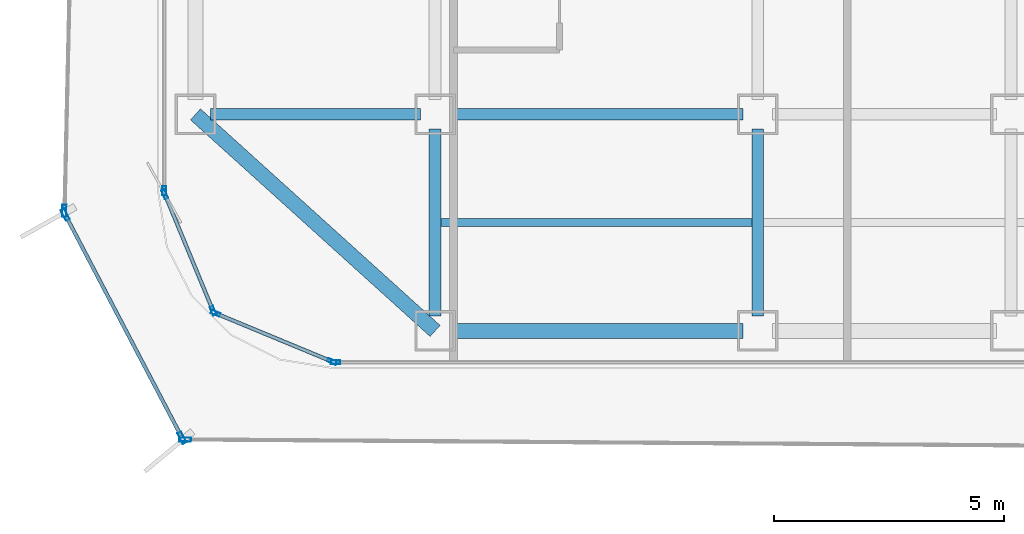
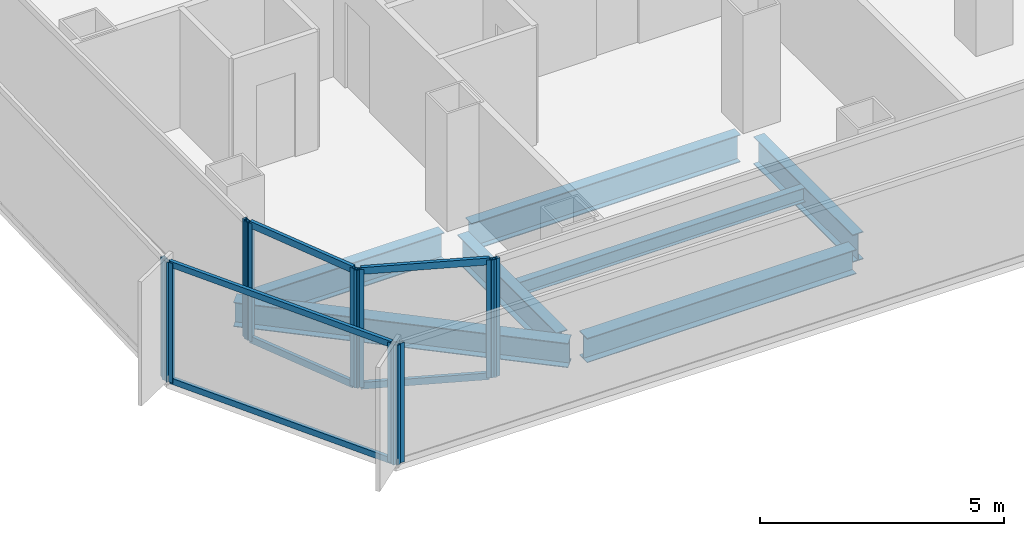
# One storey, part 2 of 21: 16 members, 7 beams, 7 elements without a shape of their own.
"""IFC4 building model written with IfcOpenShell, lengths in metres."""

import ifcopenshell
import ifcopenshell.guid

model = None  # the IFC model being written
_history = None  # IfcOwnerHistory: only IFC2X3 demands one
_inside = {}  # id of a spatial element -> (the spatial element, [elements in it])
_under = {}  # id of a project, library or spatial element -> (it, [spatial elements below it])
_declared = {}  # id of a project -> (the project, [libraries it declares])
_typed = {}  # id of a type object -> (the type object, [elements of that type])
_made_of = {}  # id of a material, layer set ... -> (it, [elements and type objects made of it])


def new_model(schema):
    """Start an empty IFC model of exactly this schema.

    Asked for "IFC4X3", IfcOpenShell would pick the latest addendum, in which some entities
    have other attributes; the version numbers below select the first issue.
    IFC2X3 requires an IfcOwnerHistory on every rooted entity: one is made here for all.
    """
    global model, _history
    if schema == "IFC4X3":
        model = ifcopenshell.file(schema_version=(4, 3, 0, 0))
    else:
        model = ifcopenshell.file(schema=schema)
    _inside.clear()
    _under.clear()
    _declared.clear()
    _typed.clear()
    _made_of.clear()
    _history = None
    if model.schema == "IFC2X3":
        org = make("IfcOrganization", Name="unknown")
        user = make(
            "IfcPersonAndOrganization",
            ThePerson=make("IfcPerson", FamilyName="unknown"),
            TheOrganization=org,
        )
        app = make(
            "IfcApplication",
            ApplicationDeveloper=org,
            Version="unknown",
            ApplicationFullName="unknown",
            ApplicationIdentifier="unknown",
        )
        _history = make(
            "IfcOwnerHistory",
            OwningUser=user,
            OwningApplication=app,
            ChangeAction="ADDED",
            CreationDate=0,
        )
    return model


def make(cls, **values):
    """One entity of the class cls with the attributes given. An attribute that is None is left unset."""
    return model.create_entity(
        cls, **{name: value for name, value in values.items() if value is not None}
    )


def rooted(cls, **values):
    """An entity with a GlobalId (a new one), such as an element, a storey or a relation."""
    return make(cls, GlobalId=ifcopenshell.guid.new(), OwnerHistory=_history, **values)


def si_unit(unit_type, name, prefix=None):
    """IfcSIUnit, for example si_unit("LENGTHUNIT", "METRE", prefix="MILLI")."""
    return make("IfcSIUnit", UnitType=unit_type, Prefix=prefix, Name=name)


def assignment(units):
    """IfcUnitAssignment: the units of a project."""
    return None if units is None else make("IfcUnitAssignment", Units=units)


def point(xyz):
    """IfcCartesianPoint."""
    return None if xyz is None else make("IfcCartesianPoint", Coordinates=xyz)


def direction(xyz):
    """IfcDirection."""
    return None if xyz is None else make("IfcDirection", DirectionRatios=xyz)


def frame(location, z_axis=None, x_axis=None):
    """IfcAxis2Placement3D, a coordinate frame: its origin and axes. An axis left out is left unset."""
    return make(
        "IfcAxis2Placement3D",
        Location=point(location),
        Axis=direction(z_axis),
        RefDirection=direction(x_axis),
    )


def frame_2d(location, x_axis=None):
    """IfcAxis2Placement2D, a coordinate frame in the plane: its origin and x axis."""
    return make(
        "IfcAxis2Placement2D", Location=point(location), RefDirection=direction(x_axis)
    )


def origin():
    """The frame at (0, 0, 0) with its axes left unset."""
    return frame((0.0, 0.0, 0.0))


def origin_2d():
    """The frame at (0, 0) in the plane with its x axis left unset."""
    return frame_2d((0.0, 0.0))


def place(relative_to, where):
    """IfcLocalPlacement: puts the frame where relative to a parent placement (None: the world)."""
    return make(
        "IfcLocalPlacement", PlacementRelTo=relative_to, RelativePlacement=where
    )


def context(
    kind, dimensions, precision=None, world=None, true_north=None, identifier=None
):
    """IfcGeometricRepresentationContext, for example the 3D "Model" context."""
    return make(
        "IfcGeometricRepresentationContext",
        ContextIdentifier=identifier,
        ContextType=kind,
        CoordinateSpaceDimension=dimensions,
        Precision=precision,
        WorldCoordinateSystem=world,
        TrueNorth=true_north,
    )


def subcontext(parent, identifier, kind, view, scale=None):
    """IfcGeometricRepresentationSubContext, for example "Body" below "Model"."""
    return make(
        "IfcGeometricRepresentationSubContext",
        ContextIdentifier=identifier,
        ContextType=kind,
        ParentContext=parent,
        TargetScale=scale,
        TargetView=view,
    )


def project(units=None, contexts=None):
    """IfcProject with its units and contexts."""
    return rooted(
        "IfcProject",
        Name="project",
        RepresentationContexts=contexts,
        UnitsInContext=assignment(units),
    )


def spatial(cls, under=None, at=None, **own):
    """A site, building, storey or space (cls), placed at a placement, below another one or the project."""
    s = rooted(cls, ObjectPlacement=at, **own)
    if under is not None:
        _under.setdefault(under.id(), (under, []))[1].append(s)
    return s


def profile(cls, at=None, kind="AREA", **sizes):
    """A parametric profile (cls). Its sizes go by their IFC names, for example OverallWidth=200.0."""
    return make(cls, ProfileType=kind, Position=at, **sizes)


def hollow_rectangle(**sizes):
    """IfcRectangleHollowProfileDef."""
    return profile("IfcRectangleHollowProfileDef", **sizes)


def i_section(**sizes):
    """IfcIShapeProfileDef."""
    return profile("IfcIShapeProfileDef", **sizes)


def extrude(swept, where, along, depth):
    """IfcExtrudedAreaSolid: the profile swept, set in the frame where, extruded along a direction by depth."""
    return make(
        "IfcExtrudedAreaSolid",
        SweptArea=swept,
        Position=where,
        ExtrudedDirection=direction(along),
        Depth=depth,
    )


def shape(context_of_items, identifier, shape_type, items):
    """IfcShapeRepresentation: the items that make up one representation, for example the "Body"."""
    return make(
        "IfcShapeRepresentation",
        ContextOfItems=context_of_items,
        RepresentationIdentifier=identifier,
        RepresentationType=shape_type,
        Items=items,
    )


def source(mapping_origin, context_of_items, identifier, shape_type, items):
    """IfcRepresentationMap: a shape defined once, which mapped items show again and again."""
    return make(
        "IfcRepresentationMap",
        MappingOrigin=mapping_origin,
        MappedRepresentation=shape(context_of_items, identifier, shape_type, items),
    )


def transform(
    local_origin,
    x_axis=None,
    y_axis=None,
    z_axis=None,
    scale=None,
    scale2=None,
    scale3=None,
    uniform=True,
):
    """IfcCartesianTransformationOperator3D, or its non-uniform kind. x_axis, y_axis, z_axis: its Axis1, 2, 3."""
    if uniform:
        return make(
            "IfcCartesianTransformationOperator3D",
            Axis1=direction(x_axis),
            Axis2=direction(y_axis),
            LocalOrigin=point(local_origin),
            Scale=scale,
            Axis3=direction(z_axis),
        )
    return make(
        "IfcCartesianTransformationOperator3DnonUniform",
        Axis1=direction(x_axis),
        Axis2=direction(y_axis),
        LocalOrigin=point(local_origin),
        Scale=scale,
        Axis3=direction(z_axis),
        Scale2=scale2,
        Scale3=scale3,
    )


def mapped(mapping_source, mapping_target):
    """IfcMappedItem: shows the shape of a source again, moved by a transform."""
    return make(
        "IfcMappedItem", MappingSource=mapping_source, MappingTarget=mapping_target
    )


def material(Name=None, Category=None):
    """IfcMaterial."""
    return make("IfcMaterial", Name=Name, Category=Category)


def layer(
    of_material, thickness, ventilated=None, Name=None, Category=None, Priority=None
):
    """IfcMaterialLayer: one layer of a wall or slab, of a material (None: an air gap)."""
    return make(
        "IfcMaterialLayer",
        Material=of_material,
        LayerThickness=thickness,
        IsVentilated=ventilated,
        Name=Name,
        Category=Category,
        Priority=Priority,
    )


def layer_set(layers, Name=None):
    """IfcMaterialLayerSet."""
    return make("IfcMaterialLayerSet", MaterialLayers=layers, LayerSetName=Name)


def material_profile(
    of_material, cross_section, Name=None, Category=None, Priority=None
):
    """IfcMaterialProfile: a cross section and its material."""
    return make(
        "IfcMaterialProfile",
        Name=Name,
        Material=of_material,
        Profile=cross_section,
        Priority=Priority,
        Category=Category,
    )


def profile_set(profiles, Name=None, composite=None):
    """IfcMaterialProfileSet."""
    return make(
        "IfcMaterialProfileSet",
        Name=Name,
        MaterialProfiles=profiles,
        CompositeProfile=composite,
    )


def made_of(thing, what):
    """Note that an element or type object is made of a material, layer set ...; save() writes the relation."""
    if what is not None:
        _made_of.setdefault(what.id(), (what, []))[1].append(thing)
    return thing


def type_object(cls, material=None, **own):
    """A type object (cls), such as IfcWallType, which elements share."""
    return made_of(rooted(cls, **own), material)


def element(
    cls,
    number,
    at=None,
    inside=None,
    cuts=None,
    type_object=None,
    material=None,
    context=None,
    identifier="Body",
    shape_type=None,
    held_by="IfcProductDefinitionShape",
    body=None,
    shapes=None,
    **own,
):
    """One element of the class cls, such as IfcWall. Its Tag is "e" and its number.

    at: its placement. inside: the storey or other place that contains it. cuts: it is an
    opening in that element (IfcRelVoidsElement). A single representation is given by context,
    identifier, shape_type and body (its items); several are given by shapes. held_by: the class
    of the entity that holds the representations. save() writes the other relations.
    """
    e = rooted(cls, Tag="e%d" % number, ObjectPlacement=at, **own)
    if body is not None:
        shapes = [shape(context, identifier, shape_type, body)]
    if shapes is not None:
        e.Representation = make(held_by, Representations=shapes)
    if inside is not None:
        _inside.setdefault(inside.id(), (inside, []))[1].append(e)
    if cuts is not None:
        rooted(
            "IfcRelVoidsElement", RelatingBuildingElement=cuts, RelatedOpeningElement=e
        )
    if type_object is not None:
        _typed.setdefault(type_object.id(), (type_object, []))[1].append(e)
    return made_of(e, material)


def aggregate(whole, parts):
    """IfcRelAggregates: a whole, such as a stair, and the parts it consists of."""
    return rooted("IfcRelAggregates", RelatingObject=whole, RelatedObjects=parts)


def save(model, path):
    """Write the relations noted so far, then the file.

    IfcRelAggregates (storeys below a building ...), IfcRelContainedInSpatialStructure (elements
    in a storey), IfcRelDefinesByType, IfcRelAssociatesMaterial and IfcRelDeclares: one each for
    every whole, place, type object, material and project.
    """
    for whole, parts in _under.values():
        aggregate(whole, parts)
    for where, things in _inside.values():
        rooted(
            "IfcRelContainedInSpatialStructure",
            RelatedElements=things,
            RelatingStructure=where,
        )
    for kind, things in _typed.values():
        rooted("IfcRelDefinesByType", RelatedObjects=things, RelatingType=kind)
    for what, things in _made_of.values():
        rooted("IfcRelAssociatesMaterial", RelatedObjects=things, RelatingMaterial=what)
    for by, libraries in _declared.values():
        rooted("IfcRelDeclares", RelatingContext=by, RelatedDefinitions=libraries)
    model.write(path)


model = new_model("IFC4")

# Units and contexts
model_context = context("Model", 3, precision=1e-05, world=origin(), true_north=direction((0.0, 1.0)))
body_context = subcontext(model_context, "Body", "Model", "MODEL_VIEW")
ifc_project = project(units=[si_unit("LENGTHUNIT", "METRE"), si_unit("AREAUNIT", "SQUARE_METRE"), si_unit("VOLUMEUNIT", "CUBIC_METRE"), si_unit("PLANEANGLEUNIT", "RADIAN"), si_unit("MASSUNIT", "GRAM", prefix="KILO")], contexts=[model_context])

# Site, building, storey
site_placement = place(None, origin())
site = spatial("IfcSite", under=ifc_project, at=site_placement, CompositionType="ELEMENT")
building_placement = place(site_placement, origin())
building = spatial("IfcBuilding", under=site, at=building_placement, Name="Kolveth Station Tower", CompositionType="ELEMENT")
storey_placement = place(building_placement, frame((0.0, 0.0, 105.5)))
storey = spatial("IfcBuildingStorey", under=building, at=storey_placement, Name="L28", CompositionType="ELEMENT", Elevation=105.5)

# Beams
ifc_material_1 = material(Name="Steel S355", Category="steel")
ifc_material_profile_1 = material_profile(ifc_material_1, i_section(OverallWidth=0.323974609375, OverallDepth=0.611083984375, WebThickness=0.0126953125, FlangeThickness=0.01904296875, at=origin_2d()), Name="W610x155")
ifc_profile_set_1 = profile_set([ifc_material_profile_1], Name="Steel S355")
beam_type_1 = type_object("IfcBeamType", Name="Beam_SP2", PredefinedType="SPANDREL", material=ifc_profile_set_1)
shared_shape_1 = source(origin(), body_context, "Body", "SweptSolid", [
    extrude(i_section(OverallWidth=0.323974609375, OverallDepth=0.611083984375, WebThickness=0.0126953125, FlangeThickness=0.01904296875, at=origin_2d()), origin(), (0.0, 0.0, 1.0), 6.35986328125),
])
beam_1_placement = place(storey_placement, frame((6.320068359375, 0.800048828125, -0.555419921875), z_axis=(1.0, 0.0, 0.0), x_axis=(0.0, 1.0, 0.0)))
element("IfcBeam", 1, at=beam_1_placement, inside=storey, type_object=beam_type_1, Name="L28 Perimeter Spandrel BM-L28-PS-1", PredefinedType="SPANDREL", context=body_context, shape_type="MappedRepresentation", body=[
    mapped(shared_shape_1, transform((0.0, 0.0, 0.0), x_axis=(1.0, 0.0, 0.0), y_axis=(0.0, 1.0, 0.0), z_axis=(0.0, 0.0, 1.0), scale=1.0)),
])
shared_shape_2 = source(origin(), body_context, "Body", "SweptSolid", [
    extrude(i_section(OverallWidth=0.323974609375, OverallDepth=0.611083984375, WebThickness=0.0126953125, FlangeThickness=0.01904296875, at=origin_2d()), origin(), (0.0, 0.0, 1.0), 7.00927734375),
])
beam_2_placement = place(storey_placement, frame((0.800048828125, 5.5, -0.555419921875), z_axis=(0.741874009795, -0.670539300557, 0.0), x_axis=(0.670539300557, 0.741874009795, 0.0)))
element("IfcBeam", 2, at=beam_2_placement, inside=storey, type_object=beam_type_1, Name="L28 Corner Edge Girder BM-L28-CNR-SW", PredefinedType="SPANDREL", context=body_context, shape_type="MappedRepresentation", body=[
    mapped(shared_shape_2, transform((0.0, 0.0, 0.0), x_axis=(1.0, 0.0, 0.0), y_axis=(0.0, 1.0, 0.0), z_axis=(0.0, 0.0, 1.0), scale=1.0)),
])
ifc_material_profile_2 = material_profile(ifc_material_1, i_section(OverallWidth=0.25390625, OverallDepth=0.68798828125, WebThickness=0.01318359375, FlangeThickness=0.02099609375, at=origin_2d()), Name="W690x152")
ifc_profile_set_2 = profile_set([ifc_material_profile_2], Name="Steel S355")
beam_type_2 = type_object("IfcBeamType", Name="Beam_B4", PredefinedType="BEAM", material=ifc_profile_set_2)
shared_shape_3 = source(origin(), body_context, "Body", "SweptSolid", [
    extrude(i_section(OverallWidth=0.25390625, OverallDepth=0.68798828125, WebThickness=0.01318359375, FlangeThickness=0.02099609375, at=origin_2d()), origin(), (0.0, 0.0, 1.0), 4.559814453125),
])
beam_3_placement = place(storey_placement, frame((1.1201171875, 5.5, -0.593994140625), z_axis=(1.0, 0.0, 0.0), x_axis=(0.0, 1.0, 0.0)))
element("IfcBeam", 3, at=beam_3_placement, inside=storey, type_object=beam_type_2, Name="L28 Primary Girder BM-L28-GY55-1", PredefinedType="BEAM", context=body_context, shape_type="MappedRepresentation", body=[
    mapped(shared_shape_3, transform((0.0, 0.0, 0.0), x_axis=(1.0, 0.0, 0.0), y_axis=(0.0, 1.0, 0.0), z_axis=(0.0, 0.0, 1.0), scale=1.0)),
])
shared_shape_4 = source(origin(), body_context, "Body", "SweptSolid", [
    extrude(i_section(OverallWidth=0.25390625, OverallDepth=0.68798828125, WebThickness=0.01318359375, FlangeThickness=0.02099609375, at=origin_2d()), origin(), (0.0, 0.0, 1.0), 6.35986328125),
])
beam_4_placement = place(storey_placement, frame((6.320068359375, 5.5, -0.593994140625), z_axis=(1.0, 0.0, 0.0), x_axis=(0.0, 1.0, 0.0)))
element("IfcBeam", 4, at=beam_4_placement, inside=storey, type_object=beam_type_2, Name="L28 Primary Girder BM-L28-GY55-2", PredefinedType="BEAM", context=body_context, shape_type="MappedRepresentation", body=[
    mapped(shared_shape_4, transform((0.0, 0.0, 0.0), x_axis=(1.0, 0.0, 0.0), y_axis=(0.0, 1.0, 0.0), z_axis=(0.0, 0.0, 1.0), scale=1.0)),
])
shared_shape_5 = source(origin(), body_context, "Body", "SweptSolid", [
    extrude(i_section(OverallWidth=0.25390625, OverallDepth=0.68798828125, WebThickness=0.01318359375, FlangeThickness=0.02099609375, at=origin_2d()), origin(), (0.0, 0.0, 1.0), 4.059814453125),
])
for number, where, z_axis, x_axis, name in (
    (5, (6.0, 1.1201171875, -0.593994140625), (0.0, 1.0, 0.0), (-1.0, 0.0, 0.0), "L28 Primary Girder BM-L28-GX60-1"),
    (6, (13.0, 1.1201171875, -0.593994140625), (0.0, 1.0, 0.0), (-1.0, 0.0, 0.0), "L28 Primary Girder BM-L28-GX130-1"),
):
    element("IfcBeam", number, at=place(storey_placement, frame(where, z_axis=z_axis, x_axis=x_axis)), inside=storey, type_object=beam_type_2, Name=name, PredefinedType="BEAM", context=body_context, shape_type="MappedRepresentation", body=[
        mapped(shared_shape_5, transform((0.0, 0.0, 0.0), x_axis=(1.0, 0.0, 0.0), y_axis=(0.0, 1.0, 0.0), z_axis=(0.0, 0.0, 1.0), scale=1.0)),
    ])
ifc_material_profile_3 = material_profile(ifc_material_1, i_section(OverallWidth=0.1708984375, OverallDepth=0.35205078125, WebThickness=0.0068359375, FlangeThickness=0.009765625, at=origin_2d()), Name="W360x44")
ifc_profile_set_3 = profile_set([ifc_material_profile_3], Name="Steel S355")
beam_type_3 = type_object("IfcBeamType", Name="Beam_J2", PredefinedType="JOIST", material=ifc_profile_set_3)
shared_shape_6 = source(origin(), body_context, "Body", "SweptSolid", [
    extrude(i_section(OverallWidth=0.1708984375, OverallDepth=0.35205078125, WebThickness=0.0068359375, FlangeThickness=0.009765625, at=origin_2d()), origin(), (0.0, 0.0, 1.0), 6.75),
])
beam_5_placement = place(storey_placement, frame((6.125, 3.14990234375, -0.426025390625), z_axis=(1.0, 0.0, 0.0), x_axis=(0.0, 1.0, 0.0)))
element("IfcBeam", 7, at=beam_5_placement, inside=storey, type_object=beam_type_3, Name="L28 Secondary Joist JST-L28-2-1", PredefinedType="JOIST", context=body_context, shape_type="MappedRepresentation", body=[
    mapped(shared_shape_6, transform((0.0, 0.0, 0.0), x_axis=(1.0, 0.0, 0.0), y_axis=(0.0, 1.0, 0.0), z_axis=(0.0, 0.0, 1.0), scale=1.0)),
])

# Curtain wall, member
ifc_material_2 = material(Name="Aluminium 6063-T6 and low-E dark glass", Category="aluminium")
ifc_layer_1 = layer(ifc_material_2, 0.18994140625)
ifc_layer_set_1 = layer_set([ifc_layer_1], Name="Aluminium 6063-T6 and low-E dark glass")
curtain_wall_type_1 = type_object("IfcCurtainWallType", Name="CurtainWall_CW-Z2", PredefinedType="NOTDEFINED", material=ifc_layer_set_1)
curtain_wall_1_placement = place(storey_placement, origin())
curtain_wall_1 = element("IfcCurtainWall", 8, at=curtain_wall_1_placement, inside=storey, type_object=curtain_wall_type_1, Name="L28 Inner Thermal Curtain Wall 9", PredefinedType="NOTDEFINED")
ifc_material_3 = material(Name="Black anodized aluminium 6063-T6", Category="aluminium")
ifc_material_profile_4 = material_profile(ifc_material_3, hollow_rectangle(XDim=0.080078125, YDim=0.199951171875, WallThickness=0.0048828125, at=origin_2d()), Name="ALU-80x200x5")
ifc_profile_set_4 = profile_set([ifc_material_profile_4], Name="Black anodized aluminium 6063-T6")
member_type_1 = type_object("IfcMemberType", Name="Mullion_ML2", PredefinedType="MULLION", material=ifc_profile_set_4)
shared_shape_7 = source(origin(), body_context, "Body", "SweptSolid", [
    extrude(hollow_rectangle(XDim=0.080078125, YDim=0.199951171875, WallThickness=0.0048828125, at=origin_2d()), origin(), (0.0, 0.0, 1.0), 2.949951171875),
])
member_1_placement = place(storey_placement, frame((0.1201171875, 3.840087890625, 0.0), z_axis=(0.0, 0.0, 1.0), x_axis=(1.0, 0.0, 0.0)))
member_1 = element("IfcMember", 9, at=member_1_placement, type_object=member_type_1, Name="CW-Z2 mullion 2", PredefinedType="MULLION", context=body_context, shape_type="MappedRepresentation", body=[
    mapped(shared_shape_7, transform((0.0, 0.0, 0.0), x_axis=(1.0, 0.0, 0.0), y_axis=(0.0, 1.0, 0.0), z_axis=(0.0, 0.0, 1.0), scale=1.0)),
])
aggregate(curtain_wall_1, [member_1])

# Curtain wall, members
curtain_wall_2_placement = place(storey_placement, origin())
curtain_wall_2 = element("IfcCurtainWall", 10, at=curtain_wall_2_placement, inside=storey, type_object=curtain_wall_type_1, Name="L28 Inner Thermal Curtain Wall 10", PredefinedType="NOTDEFINED")
member_2_placement = place(storey_placement, frame((0.13525390625, 3.762939453125, 0.0), z_axis=(0.0, 0.0, 1.0), x_axis=(0.923887883787, 0.38266326998, 0.0)))
member_2 = element("IfcMember", 11, at=member_2_placement, type_object=member_type_1, Name="CW-Z2 mullion 1", PredefinedType="MULLION", context=body_context, shape_type="MappedRepresentation", body=[
    mapped(shared_shape_7, transform((0.0, 0.0, 0.0), x_axis=(1.0, 0.0, 0.0), y_axis=(0.0, 1.0, 0.0), z_axis=(0.0, 0.0, 1.0), scale=1.0)),
])
member_3_placement = place(storey_placement, frame((1.182373046875, 1.23486328125, 0.0), z_axis=(0.0, 0.0, 1.0), x_axis=(0.923887883787, 0.38266326998, 0.0)))
member_3 = element("IfcMember", 12, at=member_3_placement, type_object=member_type_1, Name="CW-Z2 mullion 2", PredefinedType="MULLION", context=body_context, shape_type="MappedRepresentation", body=[
    mapped(shared_shape_7, transform((0.0, 0.0, 0.0), x_axis=(1.0, 0.0, 0.0), y_axis=(0.0, 1.0, 0.0), z_axis=(0.0, 0.0, 1.0), scale=1.0)),
])

curtain_wall_3_placement = place(storey_placement, origin())
curtain_wall_3 = element("IfcCurtainWall", 13, at=curtain_wall_3_placement, inside=storey, type_object=curtain_wall_type_1, Name="L28 Inner Thermal Curtain Wall 11", PredefinedType="NOTDEFINED")
member_4_placement = place(storey_placement, frame((1.23486328125, 1.182373046875, 0.0), z_axis=(0.0, 0.0, 1.0), x_axis=(0.38266326998, 0.923887883787, 0.0)))
member_4 = element("IfcMember", 14, at=member_4_placement, type_object=member_type_1, Name="CW-Z2 mullion 1", PredefinedType="MULLION", context=body_context, shape_type="MappedRepresentation", body=[
    mapped(shared_shape_7, transform((0.0, 0.0, 0.0), x_axis=(1.0, 0.0, 0.0), y_axis=(0.0, 1.0, 0.0), z_axis=(0.0, 0.0, 1.0), scale=1.0)),
])
member_5_placement = place(storey_placement, frame((3.762939453125, 0.13525390625, 0.0), z_axis=(0.0, 0.0, 1.0), x_axis=(0.38266326998, 0.923887883787, 0.0)))
member_5 = element("IfcMember", 15, at=member_5_placement, type_object=member_type_1, Name="CW-Z2 mullion 2", PredefinedType="MULLION", context=body_context, shape_type="MappedRepresentation", body=[
    mapped(shared_shape_7, transform((0.0, 0.0, 0.0), x_axis=(1.0, 0.0, 0.0), y_axis=(0.0, 1.0, 0.0), z_axis=(0.0, 0.0, 1.0), scale=1.0)),
])

# Curtain wall, member
curtain_wall_4_placement = place(storey_placement, origin())
curtain_wall_4 = element("IfcCurtainWall", 16, at=curtain_wall_4_placement, inside=storey, type_object=curtain_wall_type_1, Name="L28 Inner Thermal Curtain Wall 12", PredefinedType="NOTDEFINED")
member_6_placement = place(storey_placement, frame((3.840087890625, 0.1201171875, 0.0), z_axis=(0.0, 0.0, 1.0), x_axis=(0.0, 1.0, 0.0)))
member_6 = element("IfcMember", 17, at=member_6_placement, type_object=member_type_1, Name="CW-Z2 mullion 1", PredefinedType="MULLION", context=body_context, shape_type="MappedRepresentation", body=[
    mapped(shared_shape_7, transform((0.0, 0.0, 0.0), x_axis=(1.0, 0.0, 0.0), y_axis=(0.0, 1.0, 0.0), z_axis=(0.0, 0.0, 1.0), scale=1.0)),
])
aggregate(curtain_wall_4, [member_6])

# Member
ifc_material_profile_5 = material_profile(ifc_material_3, hollow_rectangle(XDim=0.080078125, YDim=0.169921875, WallThickness=0.0048828125, at=origin_2d()), Name="ALU-80x170x5")
ifc_profile_set_5 = profile_set([ifc_material_profile_5], Name="Black anodized aluminium 6063-T6")
member_type_2 = type_object("IfcMemberType", Name="Transom_TR2", PredefinedType="USERDEFINED", material=ifc_profile_set_5)
shared_shape_8 = source(origin(), body_context, "Body", "SweptSolid", [
    extrude(hollow_rectangle(XDim=0.080078125, YDim=0.169921875, WallThickness=0.0048828125, at=origin_2d()), origin(), (0.0, 0.0, 1.0), 2.656494140625),
])
member_7_placement = place(storey_placement, frame((0.150634765625, 3.72607421875, 0.0400390625), z_axis=(0.382676455475, -0.923882422403, 0.0), x_axis=(0.923882422403, 0.382676455475, 0.0)))
member_7 = element("IfcMember", 18, at=member_7_placement, type_object=member_type_2, Name="CW-Z2 transom 1.1", ObjectType="TRANSOM", PredefinedType="USERDEFINED", context=body_context, shape_type="MappedRepresentation", body=[
    mapped(shared_shape_8, transform((0.0, 0.0, 0.0), x_axis=(1.0, 0.0, 0.0), y_axis=(0.0, 1.0, 0.0), z_axis=(0.0, 0.0, 1.0), scale=1.0)),
])

member_8_placement = place(storey_placement, frame((0.150634765625, 3.72607421875, 2.909912109375), z_axis=(0.382676455475, -0.923882422403, 0.0), x_axis=(0.923882422403, 0.382676455475, 0.0)))
member_8 = element("IfcMember", 19, at=member_8_placement, type_object=member_type_2, Name="CW-Z2 transom 1.2", ObjectType="TRANSOM", PredefinedType="USERDEFINED", context=body_context, shape_type="MappedRepresentation", body=[
    mapped(shared_shape_8, transform((0.0, 0.0, 0.0), x_axis=(1.0, 0.0, 0.0), y_axis=(0.0, 1.0, 0.0), z_axis=(0.0, 0.0, 1.0), scale=1.0)),
])

aggregate(curtain_wall_2, [member_2, member_3, member_7, member_8])

member_9_placement = place(storey_placement, frame((1.271728515625, 1.167236328125, 0.0400390625), z_axis=(0.923882422403, -0.382676455475, 0.0), x_axis=(0.382676455475, 0.923882422403, 0.0)))
member_9 = element("IfcMember", 20, at=member_9_placement, type_object=member_type_2, Name="CW-Z2 transom 1.1", ObjectType="TRANSOM", PredefinedType="USERDEFINED", context=body_context, shape_type="MappedRepresentation", body=[
    mapped(shared_shape_8, transform((0.0, 0.0, 0.0), x_axis=(1.0, 0.0, 0.0), y_axis=(0.0, 1.0, 0.0), z_axis=(0.0, 0.0, 1.0), scale=1.0)),
])

member_10_placement = place(storey_placement, frame((1.271728515625, 1.167236328125, 2.909912109375), z_axis=(0.923882422403, -0.382676455475, 0.0), x_axis=(0.382676455475, 0.923882422403, 0.0)))
member_10 = element("IfcMember", 21, at=member_10_placement, type_object=member_type_2, Name="CW-Z2 transom 1.2", ObjectType="TRANSOM", PredefinedType="USERDEFINED", context=body_context, shape_type="MappedRepresentation", body=[
    mapped(shared_shape_8, transform((0.0, 0.0, 0.0), x_axis=(1.0, 0.0, 0.0), y_axis=(0.0, 1.0, 0.0), z_axis=(0.0, 0.0, 1.0), scale=1.0)),
])

aggregate(curtain_wall_3, [member_4, member_5, member_9, member_10])

# Curtain wall, member
ifc_material_4 = material(Name="Black anodized aluminium 6063-T6 and dark solar glass", Category="aluminium")
ifc_layer_2 = layer(ifc_material_4, 0.159912109375)
ifc_layer_set_2 = layer_set([ifc_layer_2], Name="Black anodized aluminium 6063-T6 and dark solar glass")
curtain_wall_type_2 = type_object("IfcCurtainWallType", Name="OUTER SKIN CW-OS", PredefinedType="NOTDEFINED", material=ifc_layer_set_2)
curtain_wall_5_placement = place(storey_placement, origin())
curtain_wall_5 = element("IfcCurtainWall", 22, at=curtain_wall_5_placement, inside=storey, type_object=curtain_wall_type_2, Name="L28 Outer Ventilated Skin Curtain Wall 6", PredefinedType="NOTDEFINED")
ifc_material_profile_6 = material_profile(ifc_material_3, hollow_rectangle(XDim=0.090087890625, YDim=0.260009765625, WallThickness=0.0048828125, at=origin_2d()), Name="ALU-90x260x5")
ifc_profile_set_6 = profile_set([ifc_material_profile_6], Name="Black anodized aluminium 6063-T6")
member_type_3 = type_object("IfcMemberType", Name="FIN MULLION ML-OS", PredefinedType="MULLION", material=ifc_profile_set_6)
shared_shape_9 = source(origin(), body_context, "Body", "SweptSolid", [
    extrude(hollow_rectangle(XDim=0.090087890625, YDim=0.260009765625, WallThickness=0.0048828125, at=origin_2d()), origin(), (0.0, 0.0, 1.0), 2.989990234375),
])
member_11_placement = place(storey_placement, frame((-2.048095703125, 3.407470703125, 0.0), z_axis=(0.0, 0.0, 1.0), x_axis=(0.99974471422, -0.022594388462, 0.0)))
member_11 = element("IfcMember", 23, at=member_11_placement, type_object=member_type_3, Name="CW-OS mullion 2", PredefinedType="MULLION", context=body_context, shape_type="MappedRepresentation", body=[
    mapped(shared_shape_9, transform((0.0, 0.0, 0.0), x_axis=(1.0, 0.0, 0.0), y_axis=(0.0, 1.0, 0.0), z_axis=(0.0, 0.0, 1.0), scale=1.0)),
])
aggregate(curtain_wall_5, [member_11])

# Curtain wall, members
curtain_wall_6_placement = place(storey_placement, origin())
curtain_wall_6 = element("IfcCurtainWall", 24, at=curtain_wall_6_placement, inside=storey, type_object=curtain_wall_type_2, Name="L28 Outer Ventilated Skin Curtain Wall 7", PredefinedType="NOTDEFINED")
member_12_placement = place(storey_placement, frame((-2.028076171875, 3.322509765625, 0.0), z_axis=(0.0, 0.0, 1.0), x_axis=(0.88595975122, 0.463762136464, 0.0)))
member_12 = element("IfcMember", 25, at=member_12_placement, type_object=member_type_3, Name="CW-OS mullion 1", PredefinedType="MULLION", context=body_context, shape_type="MappedRepresentation", body=[
    mapped(shared_shape_9, transform((0.0, 0.0, 0.0), x_axis=(1.0, 0.0, 0.0), y_axis=(0.0, 1.0, 0.0), z_axis=(0.0, 0.0, 1.0), scale=1.0)),
])
member_13_placement = place(storey_placement, frame((0.50634765625, -1.51953125, 0.0), z_axis=(0.0, 0.0, 1.0), x_axis=(0.88595975122, 0.463762136464, 0.0)))
member_13 = element("IfcMember", 26, at=member_13_placement, type_object=member_type_3, Name="CW-OS mullion 2", PredefinedType="MULLION", context=body_context, shape_type="MappedRepresentation", body=[
    mapped(shared_shape_9, transform((0.0, 0.0, 0.0), x_axis=(1.0, 0.0, 0.0), y_axis=(0.0, 1.0, 0.0), z_axis=(0.0, 0.0, 1.0), scale=1.0)),
])

# Curtain wall, member
curtain_wall_7_placement = place(storey_placement, origin())
curtain_wall_7 = element("IfcCurtainWall", 27, at=curtain_wall_7_placement, inside=storey, type_object=curtain_wall_type_2, Name="L28 Outer Ventilated Skin Curtain Wall 8", PredefinedType="NOTDEFINED")
member_14_placement = place(storey_placement, frame((0.572265625, -1.5595703125, 0.0), z_axis=(0.0, 0.0, 1.0), x_axis=(0.007147750448, 0.999974454505, 0.0)))
member_14 = element("IfcMember", 28, at=member_14_placement, type_object=member_type_3, Name="CW-OS mullion 1", PredefinedType="MULLION", context=body_context, shape_type="MappedRepresentation", body=[
    mapped(shared_shape_9, transform((0.0, 0.0, 0.0), x_axis=(1.0, 0.0, 0.0), y_axis=(0.0, 1.0, 0.0), z_axis=(0.0, 0.0, 1.0), scale=1.0)),
])
aggregate(curtain_wall_7, [member_14])

# Member
ifc_material_profile_7 = material_profile(ifc_material_3, hollow_rectangle(XDim=0.080078125, YDim=0.14990234375, WallThickness=0.0048828125, at=origin_2d()), Name="ALU-80x150x5")
ifc_profile_set_7 = profile_set([ifc_material_profile_7], Name="Black anodized aluminium 6063-T6")
member_type_4 = type_object("IfcMemberType", Name="Transom_TR-OS", PredefinedType="USERDEFINED", material=ifc_profile_set_7)
shared_shape_10 = source(origin(), body_context, "Body", "SweptSolid", [
    extrude(hollow_rectangle(XDim=0.080078125, YDim=0.14990234375, WallThickness=0.0048828125, at=origin_2d()), origin(), (0.0, 0.0, 1.0), 5.375244140625),
])
member_15_placement = place(storey_placement, frame((-2.00732421875, 3.28271484375, 0.0400390625), z_axis=(0.463777861532, -0.88595151964, 0.0), x_axis=(0.88595151964, 0.463777861532, 0.0)))
member_15 = element("IfcMember", 29, at=member_15_placement, type_object=member_type_4, Name="CW-OS transom 1.1", ObjectType="TRANSOM", PredefinedType="USERDEFINED", context=body_context, shape_type="MappedRepresentation", body=[
    mapped(shared_shape_10, transform((0.0, 0.0, 0.0), x_axis=(1.0, 0.0, 0.0), y_axis=(0.0, 1.0, 0.0), z_axis=(0.0, 0.0, 1.0), scale=1.0)),
])

member_16_placement = place(storey_placement, frame((-2.00732421875, 3.28271484375, 2.949951171875), z_axis=(0.463777861532, -0.88595151964, 0.0), x_axis=(0.88595151964, 0.463777861532, 0.0)))
member_16 = element("IfcMember", 30, at=member_16_placement, type_object=member_type_4, Name="CW-OS transom 1.2", ObjectType="TRANSOM", PredefinedType="USERDEFINED", context=body_context, shape_type="MappedRepresentation", body=[
    mapped(shared_shape_10, transform((0.0, 0.0, 0.0), x_axis=(1.0, 0.0, 0.0), y_axis=(0.0, 1.0, 0.0), z_axis=(0.0, 0.0, 1.0), scale=1.0)),
])

aggregate(curtain_wall_6, [member_12, member_13, member_15, member_16])

save(model, "model.ifc")
